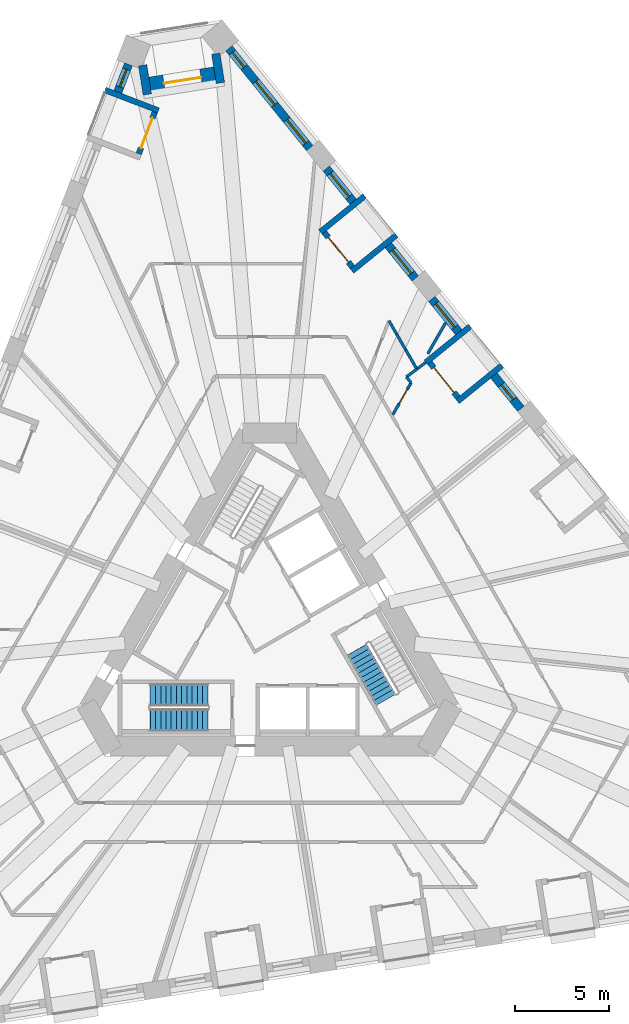
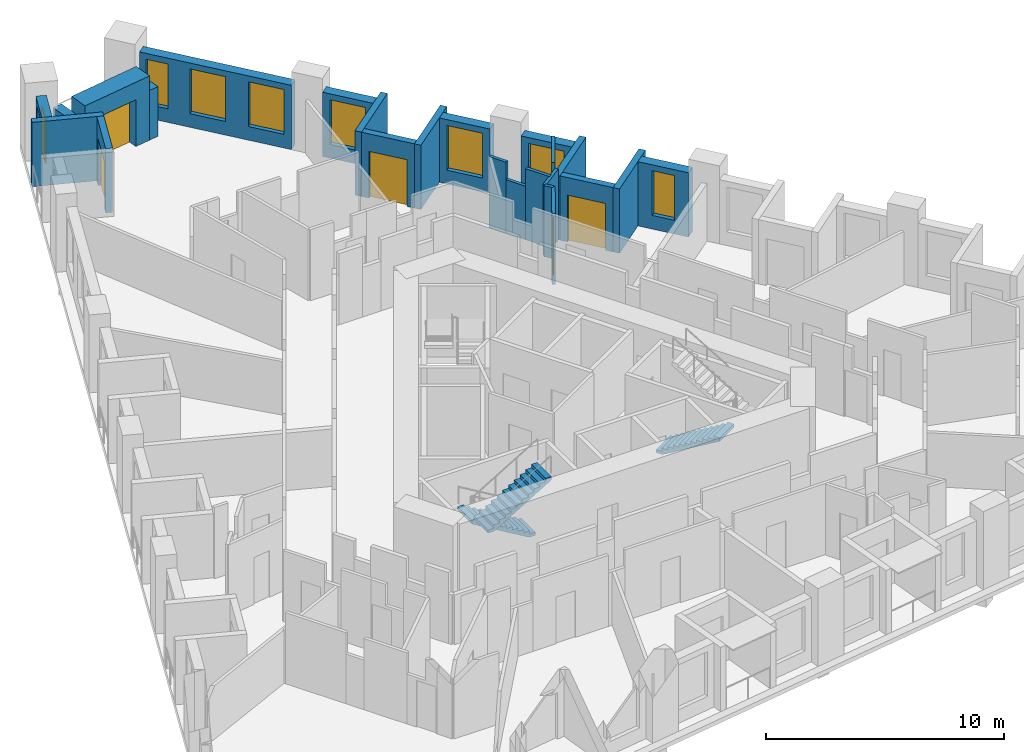
# One storey, part 9 of 14: 24 walls, 8 windows, 5 doors, 3 stair flights, 13 openings, 2 elements without a shape of their own.
"""IFC4 building model written with IfcOpenShell, lengths in metres."""

from ifc_helpers import new_model, si_unit, direction, frame, frame_2d, origin, place, context, subcontext, project, spatial, polyline, rectangle, outline, extrude, material, layer, layer_set, type_object, element, fill, aggregate, save


model = new_model("IFC4")

# Units and contexts
model_context = context("Model", 3, precision=1e-05, world=origin(), true_north=direction((0.0, 1.0)))
body_context = subcontext(model_context, "Body", "Model", "MODEL_VIEW")
ifc_project = project(units=[si_unit("LENGTHUNIT", "METRE"), si_unit("AREAUNIT", "SQUARE_METRE"), si_unit("VOLUMEUNIT", "CUBIC_METRE"), si_unit("PLANEANGLEUNIT", "RADIAN"), si_unit("MASSUNIT", "GRAM", prefix="KILO")], contexts=[model_context])

# Site, building, storey
site_placement = place(None, origin())
site = spatial("IfcSite", under=ifc_project, at=site_placement, CompositionType="ELEMENT")
building_placement = place(site_placement, origin())
building = spatial("IfcBuilding", under=site, at=building_placement, Name="Tramontana Tower", CompositionType="ELEMENT")
storey_placement = place(building_placement, frame((0.0, 0.0, 55.199951171875)))
storey = spatial("IfcBuildingStorey", under=building, at=storey_placement, Name="L11", CompositionType="ELEMENT", Elevation=55.199951171875)

# Wall, opening, window
ifc_material_1 = material(Name="Precast concrete 60 MPa", Category="concrete")
ifc_layer_1 = layer(ifc_material_1, 0.449951171875)
ifc_layer_set_1 = layer_set([ifc_layer_1], Name="Precast concrete 60 MPa, 450 mm")
wall_type_1 = type_object("IfcWallType", Name="EW1 Stone-faced precast wall 450", PredefinedType="SOLIDWALL", material=ifc_layer_set_1)
wall_1_placement = place(storey_placement, frame((-7.521728515625, 30.14453125, 0.0), z_axis=(0.0, 0.0, 1.0), x_axis=(-0.358431261356, -0.933556120907, 0.0)))
wall_1 = element("IfcWall", 1, at=wall_1_placement, inside=storey, type_object=wall_type_1, Name="External wall L11 face 0 bay 1", PredefinedType="SOLIDWALL", context=body_context, shape_type="SweptSolid", body=[
    extrude(rectangle(XDim=1.5830078125, YDim=0.449951171875, at=frame_2d((0.79150390625, 0.0))), origin(), (0.0, 0.0, 1.0), 3.300048828125),
])
opening_1_placement = place(wall_1_placement, frame((0.29150390625, 0.0, 0.699951171875)))
opening_1 = element("IfcOpeningElement", 2, at=opening_1_placement, cuts=wall_1, Name="Opening N1", PredefinedType="OPENING", context=body_context, shape_type="SweptSolid", body=[
    extrude(rectangle(XDim=1.0, YDim=2.300048828125, at=frame_2d((0.5, 1.14990234375))), frame((0.0, 0.23486328125, 0.0), z_axis=(0.0, -1.0, 0.0), x_axis=(1.0, 0.0, 0.0)), (0.0, 0.0, 1.0), 0.469970703125),
])
ifc_material_2 = material(Name="Aluminum frame, double glazing unit", Category="aluminium")
window_type_1 = type_object("IfcWindowType", Name="N1 Window 1 x 2.3", PartitioningType="SINGLE_PANEL", PredefinedType="WINDOW", material=ifc_material_2)
window_1_placement = place(opening_1_placement, origin())
window_1 = element("IfcWindow", 3, at=window_1_placement, inside=storey, type_object=window_type_1, Name="Window N1 L11 face 0 module 1", OverallHeight=2.300048828125, OverallWidth=1.0, PartitioningType="SINGLE_PANEL", PredefinedType="WINDOW", context=body_context, shape_type="SweptSolid", body=[
    extrude(rectangle(XDim=1.0, YDim=2.300048828125, at=frame_2d((0.5, 1.14990234375))), frame((0.0, 0.030029296875, 0.0), z_axis=(0.0, -1.0, 0.0), x_axis=(1.0, 0.0, 0.0)), (0.0, 0.0, 1.0), 0.06005859375),
])
fill(opening_1, window_1)

wall_2_placement = place(storey_placement, frame((13.412109375, 11.76171875, 0.0), z_axis=(0.0, 0.0, 1.0), x_axis=(-0.629339730135, 0.777130300576, 0.0)))
wall_2 = element("IfcWall", 4, at=wall_2_placement, inside=storey, type_object=wall_type_1, Name="External wall L11 face 2 bay 4", PredefinedType="SOLIDWALL", context=body_context, shape_type="SweptSolid", body=[
    extrude(rectangle(XDim=2.282958984375, YDim=0.449951171875, at=frame_2d((1.1416015625, 0.0))), origin(), (0.0, 0.0, 1.0), 3.300048828125),
])
opening_2_placement = place(wall_2_placement, frame((0.6416015625, 0.0, 0.699951171875)))
opening_2 = element("IfcOpeningElement", 5, at=opening_2_placement, cuts=wall_2, Name="Opening N1", PredefinedType="OPENING", context=body_context, shape_type="SweptSolid", body=[
    extrude(rectangle(XDim=1.0, YDim=2.300048828125, at=frame_2d((0.5, 1.14990234375))), frame((0.0, 0.23486328125, 0.0), z_axis=(0.0, -1.0, 0.0), x_axis=(1.0, 0.0, 0.0)), (0.0, 0.0, 1.0), 0.469970703125),
])
window_2_placement = place(opening_2_placement, origin())
window_2 = element("IfcWindow", 6, at=window_2_placement, inside=storey, type_object=window_type_1, Name="Window N1 L11 face 2 module 10", OverallHeight=2.300048828125, OverallWidth=1.0, PartitioningType="SINGLE_PANEL", PredefinedType="WINDOW", context=body_context, shape_type="SweptSolid", body=[
    extrude(rectangle(XDim=1.0, YDim=2.300048828125, at=frame_2d((0.5, 1.14990234375))), frame((0.0, 0.030029296875, 0.0), z_axis=(0.0, -1.0, 0.0), x_axis=(1.0, 0.0, 0.0)), (0.0, 0.0, 1.0), 0.06005859375),
])
fill(opening_2, window_2)

wall_3_placement = place(storey_placement, frame((10.09814453125, 15.85400390625, 0.0), z_axis=(0.0, 0.0, 1.0), x_axis=(-0.629339730135, 0.777130300576, 0.0)))
wall_3 = element("IfcWall", 7, at=wall_3_placement, inside=storey, type_object=wall_type_1, Name="External wall L11 face 2 bay 4", PredefinedType="SOLIDWALL", context=body_context, shape_type="SweptSolid", body=[
    extrude(rectangle(XDim=2.282958984375, YDim=0.449951171875, at=frame_2d((1.1416015625, 0.0))), origin(), (0.0, 0.0, 1.0), 3.300048828125),
])
opening_3_placement = place(wall_3_placement, frame((0.341552734375, 0.0, 0.699951171875)))
opening_3 = element("IfcOpeningElement", 8, at=opening_3_placement, cuts=wall_3, Name="Opening M1", PredefinedType="OPENING", context=body_context, shape_type="SweptSolid", body=[
    extrude(rectangle(XDim=1.60009765625, YDim=2.300048828125, at=frame_2d((0.800048828125, 1.14990234375))), frame((0.0, 0.23486328125, 0.0), z_axis=(0.0, -1.0, 0.0), x_axis=(1.0, 0.0, 0.0)), (0.0, 0.0, 1.0), 0.469970703125),
])
ifc_material_3 = material(Name="Aluminum frame, double glazing unit", Category="aluminium")
window_type_2 = type_object("IfcWindowType", Name="M1 Window 1.6 x 2.3", PartitioningType="SINGLE_PANEL", PredefinedType="WINDOW", material=ifc_material_3)
window_3_placement = place(opening_3_placement, origin())
window_3 = element("IfcWindow", 9, at=window_3_placement, inside=storey, type_object=window_type_2, Name="Window M1 L11 face 2 module 12", OverallHeight=2.300048828125, OverallWidth=1.60009765625, PartitioningType="SINGLE_PANEL", PredefinedType="WINDOW", context=body_context, shape_type="SweptSolid", body=[
    extrude(rectangle(XDim=1.60009765625, YDim=2.300048828125, at=frame_2d((0.800048828125, 1.14990234375))), frame((0.0, 0.030029296875, 0.0), z_axis=(0.0, -1.0, 0.0), x_axis=(1.0, 0.0, 0.0)), (0.0, 0.0, 1.0), 0.06005859375),
])
fill(opening_3, window_3)

wall_4_placement = place(storey_placement, frame((7.7802734375, 18.71630859375, 0.0), z_axis=(0.0, 0.0, 1.0), x_axis=(-0.629275139402, 0.777182603337, 0.0)))
wall_4 = element("IfcWall", 10, at=wall_4_placement, inside=storey, type_object=wall_type_1, Name="External wall L11 face 2 bay 5", PredefinedType="SOLIDWALL", context=body_context, shape_type="SweptSolid", body=[
    extrude(rectangle(XDim=2.28271484375, YDim=0.449951171875, at=frame_2d((1.141357421875, 0.0))), origin(), (0.0, 0.0, 1.0), 3.300048828125),
])
opening_4_placement = place(wall_4_placement, frame((0.341552734375, 0.0, 0.699951171875)))
opening_4 = element("IfcOpeningElement", 11, at=opening_4_placement, cuts=wall_4, Name="Opening M1", PredefinedType="OPENING", context=body_context, shape_type="SweptSolid", body=[
    extrude(rectangle(XDim=1.60009765625, YDim=2.300048828125, at=frame_2d((0.800048828125, 1.14990234375))), frame((0.0, 0.23486328125, 0.0), z_axis=(0.0, -1.0, 0.0), x_axis=(1.0, 0.0, 0.0)), (0.0, 0.0, 1.0), 0.469970703125),
])
window_4_placement = place(opening_4_placement, origin())
window_4 = element("IfcWindow", 12, at=window_4_placement, inside=storey, type_object=window_type_2, Name="Window M1 L11 face 2 module 13", OverallHeight=2.300048828125, OverallWidth=1.60009765625, PartitioningType="SINGLE_PANEL", PredefinedType="WINDOW", context=body_context, shape_type="SweptSolid", body=[
    extrude(rectangle(XDim=1.60009765625, YDim=2.300048828125, at=frame_2d((0.800048828125, 1.14990234375))), frame((0.0, 0.030029296875, 0.0), z_axis=(0.0, -1.0, 0.0), x_axis=(1.0, 0.0, 0.0)), (0.0, 0.0, 1.0), 0.06005859375),
])
fill(opening_4, window_4)

wall_5_placement = place(storey_placement, frame((4.46630859375, 22.80859375, 0.0), z_axis=(0.0, 0.0, 1.0), x_axis=(-0.629275139402, 0.777182603337, 0.0)))
wall_5 = element("IfcWall", 13, at=wall_5_placement, inside=storey, type_object=wall_type_1, Name="External wall L11 face 2 bay 5", PredefinedType="SOLIDWALL", context=body_context, shape_type="SweptSolid", body=[
    extrude(rectangle(XDim=2.28271484375, YDim=0.449951171875, at=frame_2d((1.141357421875, 0.0))), origin(), (0.0, 0.0, 1.0), 3.300048828125),
])
opening_5_placement = place(wall_5_placement, frame((0.341552734375, 0.0, 0.699951171875)))
opening_5 = element("IfcOpeningElement", 14, at=opening_5_placement, cuts=wall_5, Name="Opening M1", PredefinedType="OPENING", context=body_context, shape_type="SweptSolid", body=[
    extrude(rectangle(XDim=1.60009765625, YDim=2.300048828125, at=frame_2d((0.800048828125, 1.14990234375))), frame((0.0, 0.23486328125, 0.0), z_axis=(0.0, -1.0, 0.0), x_axis=(1.0, 0.0, 0.0)), (0.0, 0.0, 1.0), 0.469970703125),
])
window_5_placement = place(opening_5_placement, origin())
window_5 = element("IfcWindow", 15, at=window_5_placement, inside=storey, type_object=window_type_2, Name="Window M1 L11 face 2 module 15", OverallHeight=2.300048828125, OverallWidth=1.60009765625, PartitioningType="SINGLE_PANEL", PredefinedType="WINDOW", context=body_context, shape_type="SweptSolid", body=[
    extrude(rectangle(XDim=1.60009765625, YDim=2.300048828125, at=frame_2d((0.800048828125, 1.14990234375))), frame((0.0, 0.030029296875, 0.0), z_axis=(0.0, -1.0, 0.0), x_axis=(1.0, 0.0, 0.0)), (0.0, 0.0, 1.0), 0.06005859375),
])
fill(opening_5, window_5)

# Wall, openings, windows
wall_6_placement = place(storey_placement, frame((2.148681640625, 25.6708984375, 0.0), z_axis=(0.0, 0.0, 1.0), x_axis=(-0.629339730135, 0.777130300576, 0.0)))
wall_6 = element("IfcWall", 16, at=wall_6_placement, inside=storey, type_object=wall_type_1, Name="External wall L11 face 2 bay 6", PredefinedType="SOLIDWALL", context=body_context, shape_type="SweptSolid", body=[
    extrude(rectangle(XDim=6.848876953125, YDim=0.449951171875, at=frame_2d((3.42431640625, 0.0))), origin(), (0.0, 0.0, 1.0), 3.300048828125),
])
opening_6_placement = place(wall_6_placement, frame((0.341552734375, 0.0, 0.699951171875)))
opening_6 = element("IfcOpeningElement", 17, at=opening_6_placement, cuts=wall_6, Name="Opening M1", PredefinedType="OPENING", context=body_context, shape_type="SweptSolid", body=[
    extrude(rectangle(XDim=1.60009765625, YDim=2.300048828125, at=frame_2d((0.800048828125, 1.14990234375))), frame((0.0, 0.23486328125, 0.0), z_axis=(0.0, -1.0, 0.0), x_axis=(1.0, 0.0, 0.0)), (0.0, 0.0, 1.0), 0.469970703125),
])
opening_7_placement = place(wall_6_placement, frame((2.974365234375, 0.0, 0.699951171875)))
opening_7 = element("IfcOpeningElement", 18, at=opening_7_placement, cuts=wall_6, Name="Opening M1", PredefinedType="OPENING", context=body_context, shape_type="SweptSolid", body=[
    extrude(rectangle(XDim=1.60009765625, YDim=2.300048828125, at=frame_2d((0.800048828125, 1.14990234375))), frame((0.0, 0.23486328125, 0.0), z_axis=(0.0, -1.0, 0.0), x_axis=(1.0, 0.0, 0.0)), (0.0, 0.0, 1.0), 0.469970703125),
])
opening_8_placement = place(wall_6_placement, frame((5.557373046875, 0.0, 0.699951171875)))
opening_8 = element("IfcOpeningElement", 19, at=opening_8_placement, cuts=wall_6, Name="Opening N1", PredefinedType="OPENING", context=body_context, shape_type="SweptSolid", body=[
    extrude(rectangle(XDim=1.0, YDim=2.300048828125, at=frame_2d((0.5, 1.14990234375))), frame((0.0, 0.23486328125, 0.0), z_axis=(0.0, -1.0, 0.0), x_axis=(1.0, 0.0, 0.0)), (0.0, 0.0, 1.0), 0.469970703125),
])
window_6_placement = place(opening_6_placement, origin())
window_6 = element("IfcWindow", 20, at=window_6_placement, inside=storey, type_object=window_type_2, Name="Window M1 L11 face 2 module 16", OverallHeight=2.300048828125, OverallWidth=1.60009765625, PartitioningType="SINGLE_PANEL", PredefinedType="WINDOW", context=body_context, shape_type="SweptSolid", body=[
    extrude(rectangle(XDim=1.60009765625, YDim=2.300048828125, at=frame_2d((0.800048828125, 1.14990234375))), frame((0.0, 0.030029296875, 0.0), z_axis=(0.0, -1.0, 0.0), x_axis=(1.0, 0.0, 0.0)), (0.0, 0.0, 1.0), 0.06005859375),
])
fill(opening_6, window_6)
window_7_placement = place(opening_7_placement, origin())
window_7 = element("IfcWindow", 21, at=window_7_placement, inside=storey, type_object=window_type_2, Name="Window M1 L11 face 2 module 17", OverallHeight=2.300048828125, OverallWidth=1.60009765625, PartitioningType="SINGLE_PANEL", PredefinedType="WINDOW", context=body_context, shape_type="SweptSolid", body=[
    extrude(rectangle(XDim=1.60009765625, YDim=2.300048828125, at=frame_2d((0.800048828125, 1.14990234375))), frame((0.0, 0.030029296875, 0.0), z_axis=(0.0, -1.0, 0.0), x_axis=(1.0, 0.0, 0.0)), (0.0, 0.0, 1.0), 0.06005859375),
])
fill(opening_7, window_7)
window_8_placement = place(opening_8_placement, origin())
window_8 = element("IfcWindow", 22, at=window_8_placement, inside=storey, type_object=window_type_1, Name="Window N1 L11 face 2 module 18", OverallHeight=2.300048828125, OverallWidth=1.0, PartitioningType="SINGLE_PANEL", PredefinedType="WINDOW", context=body_context, shape_type="SweptSolid", body=[
    extrude(rectangle(XDim=1.0, YDim=2.300048828125, at=frame_2d((0.5, 1.14990234375))), frame((0.0, 0.030029296875, 0.0), z_axis=(0.0, -1.0, 0.0), x_axis=(1.0, 0.0, 0.0)), (0.0, 0.0, 1.0), 0.06005859375),
])
fill(opening_8, window_8)

# Walls
for number, where, z_axis, x_axis, name in (
    (23, (-6.765625, 30.09130859375, 0.0), (0.0, 0.0, 1.0), (0.156446802793, -0.987686386408, 0.0), "Corner loggia side wall L11 K10l"),
    (24, (-2.8642578125, 30.709228515625, 0.0), (0.0, 0.0, 1.0), (0.156446802793, -0.987686386408, 0.0), "Corner loggia side wall L11 K10r"),
):
    element("IfcWall", number, at=place(storey_placement, frame(where, z_axis=z_axis, x_axis=x_axis)), inside=storey, type_object=wall_type_1, Name=name, PredefinedType="SOLIDWALL", context=body_context, shape_type="SweptSolid", body=[
        extrude(rectangle(XDim=1.579345703125, YDim=0.449951171875, at=frame_2d((0.78955078125, 0.0))), origin(), (0.0, 0.0, 1.0), 2.550048828125),
    ])

# Wall, opening, door
ifc_material_4 = material(Name="Precast concrete 60 MPa", Category="concrete")
ifc_layer_2 = layer(ifc_material_4, 0.89990234375)
ifc_layer_set_2 = layer_set([ifc_layer_2], Name="EW2 Stone-faced corner loggia wall 900")
wall_type_2 = type_object("IfcWallType", Name="EW2 Stone-faced corner loggia wall 900", PredefinedType="SOLIDWALL", material=ifc_layer_set_2)
wall_7_placement = place(storey_placement, frame((-6.36669921875, 29.01123046875, 0.0), z_axis=(0.0, 0.0, 1.0), x_axis=(0.987683654859, 0.156464046744, 0.0)))
wall_7 = element("IfcWall", 25, at=wall_7_placement, inside=storey, type_object=wall_type_2, Name="Corner loggia wall L11 K10", PredefinedType="SOLIDWALL", context=body_context, shape_type="SweptSolid", body=[
    extrude(rectangle(XDim=3.5, YDim=0.89990234375, at=frame_2d((1.75, 0.0))), origin(), (0.0, 0.0, 1.0), 3.300048828125),
])
opening_9_placement = place(wall_7_placement, frame((0.75, 0.0, 0.0)))
opening_9 = element("IfcOpeningElement", 26, at=opening_9_placement, cuts=wall_7, Name="Opening BD-10C", PredefinedType="OPENING", context=body_context, shape_type="SweptSolid", body=[
    extrude(rectangle(XDim=2.0, YDim=2.39990234375, at=frame_2d((1.0, 1.199951171875))), frame((0.0, 0.4599609375, 0.0), z_axis=(0.0, -1.0, 0.0), x_axis=(1.0, 0.0, 0.0)), (0.0, 0.0, 1.0), 0.919921875),
])
ifc_material_5 = material(Name="Aluminum frame, double glazing unit", Category="aluminium")
door_type_1 = type_object("IfcDoorType", Name="BC1 Sliding door 2 x 2.4", OperationType="SLIDING_TO_LEFT", PredefinedType="DOOR", material=ifc_material_5)
door_1_placement = place(opening_9_placement, origin())
door_1 = element("IfcDoor", 27, at=door_1_placement, inside=storey, type_object=door_type_1, Name="Corner loggia door L11 K10", OperationType="SLIDING_TO_LEFT", OverallHeight=2.39990234375, OverallWidth=2.0, PredefinedType="DOOR", context=body_context, shape_type="SweptSolid", body=[
    extrude(rectangle(XDim=2.0, YDim=2.39990234375, at=frame_2d((1.0, 1.199951171875))), frame((0.0, 0.02490234375, 0.0), z_axis=(0.0, -1.0, 0.0), x_axis=(1.0, 0.0, 0.0)), (0.0, 0.0, 1.0), 0.050048828125),
])
fill(opening_9, door_1)

ifc_material_6 = material(Name="Precast concrete 60 MPa", Category="concrete")
ifc_layer_3 = layer(ifc_material_6, 0.300048828125)
ifc_layer_set_3 = layer_set([ifc_layer_3], Name="LW1 Stone-faced loggia wall 300")
wall_type_3 = type_object("IfcWallType", Name="LW1 Stone-faced loggia wall 300", PredefinedType="SOLIDWALL", material=ifc_layer_set_3)
wall_8_placement = place(storey_placement, frame((-6.119384765625, 27.58935546875, 0.0), z_axis=(0.0, 0.0, 1.0), x_axis=(-0.358354292693, -0.933585668757, 0.0)))
wall_8 = element("IfcWall", 28, at=wall_8_placement, inside=storey, type_object=wall_type_3, Name="Loggia wall L11 G1S0.1", PredefinedType="SOLIDWALL", context=body_context, shape_type="SweptSolid", body=[
    extrude(rectangle(XDim=2.383056640625, YDim=0.300048828125, at=frame_2d((1.19140625, 0.0))), origin(), (0.0, 0.0, 1.0), 3.300048828125),
])
opening_10_placement = place(wall_8_placement, frame((0.341552734375, 0.0, 0.0)))
opening_10 = element("IfcOpeningElement", 29, at=opening_10_placement, cuts=wall_8, Name="Opening BD-1S0-01", PredefinedType="OPENING", context=body_context, shape_type="SweptSolid", body=[
    extrude(rectangle(XDim=1.699951171875, YDim=2.39990234375, at=frame_2d((0.85009765625, 1.199951171875))), frame((0.0, 0.159912109375, 0.0), z_axis=(0.0, -1.0, 0.0), x_axis=(1.0, 0.0, 0.0)), (0.0, 0.0, 1.0), 0.320068359375),
])
ifc_material_7 = material(Name="Aluminum frame, double glazing unit", Category="aluminium")
door_type_2 = type_object("IfcDoorType", Name="BD1 Sliding door 1.7 x 2.4", OperationType="SLIDING_TO_LEFT", PredefinedType="DOOR", material=ifc_material_7)
door_2_placement = place(opening_10_placement, origin())
door_2 = element("IfcDoor", 30, at=door_2_placement, inside=storey, type_object=door_type_2, Name="Loggia door L11 G1S0.1", OperationType="SLIDING_TO_LEFT", OverallHeight=2.39990234375, OverallWidth=1.699951171875, PredefinedType="DOOR", context=body_context, shape_type="SweptSolid", body=[
    extrude(rectangle(XDim=1.699951171875, YDim=2.39990234375, at=frame_2d((0.85009765625, 1.199951171875))), frame((0.0, 0.02490234375, 0.0), z_axis=(0.0, -1.0, 0.0), x_axis=(1.0, 0.0, 0.0)), (0.0, 0.0, 1.0), 0.050048828125),
])
fill(opening_10, door_2)

# Wall
wall_9_placement = place(storey_placement, frame((-8.77294921875, 28.7685546875, 0.0), z_axis=(0.0, 0.0, 1.0), x_axis=(0.933580593625, -0.358367514161, 0.0)))
element("IfcWall", 31, at=wall_9_placement, inside=storey, type_object=wall_type_3, Name="Loggia return L11 G1S0.1a", PredefinedType="SOLIDWALL", context=body_context, shape_type="SweptSolid", body=[
    extrude(rectangle(XDim=3.050048828125, YDim=0.300048828125, at=frame_2d((1.52490234375, 0.0))), origin(), (0.0, 0.0, 1.0), 3.300048828125),
])

# Wall, opening, door
wall_10_placement = place(storey_placement, frame((10.057373046875, 12.36865234375, 0.0), z_axis=(0.0, 0.0, 1.0), x_axis=(-0.629257171563, 0.777197151331, 0.0)))
wall_10 = element("IfcWall", 32, at=wall_10_placement, inside=storey, type_object=wall_type_3, Name="Loggia wall L11 G1S2.10", PredefinedType="SOLIDWALL", context=body_context, shape_type="SweptSolid", body=[
    extrude(rectangle(XDim=2.383056640625, YDim=0.300048828125, at=frame_2d((1.19140625, 0.0))), origin(), (0.0, 0.0, 1.0), 3.300048828125),
])
opening_11_placement = place(wall_10_placement, frame((0.341552734375, 0.0, 0.0)))
opening_11 = element("IfcOpeningElement", 33, at=opening_11_placement, cuts=wall_10, Name="Opening BD-1S2-10", PredefinedType="OPENING", context=body_context, shape_type="SweptSolid", body=[
    extrude(rectangle(XDim=1.699951171875, YDim=2.39990234375, at=frame_2d((0.85009765625, 1.199951171875))), frame((0.0, 0.159912109375, 0.0), z_axis=(0.0, -1.0, 0.0), x_axis=(1.0, 0.0, 0.0)), (0.0, 0.0, 1.0), 0.320068359375),
])
door_3_placement = place(opening_11_placement, origin())
door_3 = element("IfcDoor", 34, at=door_3_placement, inside=storey, type_object=door_type_2, Name="Loggia door L11 G1S2.10", OperationType="SLIDING_TO_LEFT", OverallHeight=2.39990234375, OverallWidth=1.699951171875, PredefinedType="DOOR", context=body_context, shape_type="SweptSolid", body=[
    extrude(rectangle(XDim=1.699951171875, YDim=2.39990234375, at=frame_2d((0.85009765625, 1.199951171875))), frame((0.0, 0.02490234375, 0.0), z_axis=(0.0, -1.0, 0.0), x_axis=(1.0, 0.0, 0.0)), (0.0, 0.0, 1.0), 0.050048828125),
])
fill(opening_11, door_3)

# Walls
wall_11_placement = place(storey_placement, frame((12.405517578125, 14.0771484375, 0.0), z_axis=(0.0, 0.0, 1.0), x_axis=(-0.777153523895, -0.629311052102, 0.0)))
element("IfcWall", 35, at=wall_11_placement, inside=storey, type_object=wall_type_3, Name="Loggia return L11 G1S2.10a", PredefinedType="SOLIDWALL", context=body_context, shape_type="SweptSolid", body=[
    extrude(rectangle(XDim=3.050048828125, YDim=0.300048828125, at=frame_2d((1.52490234375, 0.0))), origin(), (0.0, 0.0, 1.0), 3.300048828125),
])
wall_12_placement = place(storey_placement, frame((10.717041015625, 16.162353515625, 0.0), z_axis=(0.0, 0.0, 1.0), x_axis=(-0.777121820661, -0.629350201281, 0.0)))
element("IfcWall", 36, at=wall_12_placement, inside=storey, type_object=wall_type_3, Name="Loggia return L11 G1S2.10b", PredefinedType="SOLIDWALL", context=body_context, shape_type="SweptSolid", body=[
    extrude(rectangle(XDim=3.0498046875, YDim=0.300048828125, at=frame_2d((1.52490234375, 0.0))), origin(), (0.0, 0.0, 1.0), 3.300048828125),
])

# Wall, opening, door
wall_13_placement = place(storey_placement, frame((4.42578125, 19.323486328125, 0.0), z_axis=(0.0, 0.0, 1.0), x_axis=(-0.629369155682, 0.777106470103, 0.0)))
wall_13 = element("IfcWall", 37, at=wall_13_placement, inside=storey, type_object=wall_type_3, Name="Loggia wall L11 G1S2.13", PredefinedType="SOLIDWALL", context=body_context, shape_type="SweptSolid", body=[
    extrude(rectangle(XDim=2.383056640625, YDim=0.300048828125, at=frame_2d((1.19140625, 0.0))), origin(), (0.0, 0.0, 1.0), 3.300048828125),
])
opening_12_placement = place(wall_13_placement, frame((0.341552734375, 0.0, 0.0)))
opening_12 = element("IfcOpeningElement", 38, at=opening_12_placement, cuts=wall_13, Name="Opening BD-1S2-13", PredefinedType="OPENING", context=body_context, shape_type="SweptSolid", body=[
    extrude(rectangle(XDim=1.699951171875, YDim=2.39990234375, at=frame_2d((0.85009765625, 1.199951171875))), frame((0.0, 0.159912109375, 0.0), z_axis=(0.0, -1.0, 0.0), x_axis=(1.0, 0.0, 0.0)), (0.0, 0.0, 1.0), 0.320068359375),
])
door_4_placement = place(opening_12_placement, origin())
door_4 = element("IfcDoor", 39, at=door_4_placement, inside=storey, type_object=door_type_2, Name="Loggia door L11 G1S2.13", OperationType="SLIDING_TO_LEFT", OverallHeight=2.39990234375, OverallWidth=1.699951171875, PredefinedType="DOOR", context=body_context, shape_type="SweptSolid", body=[
    extrude(rectangle(XDim=1.699951171875, YDim=2.39990234375, at=frame_2d((0.85009765625, 1.199951171875))), frame((0.0, 0.02490234375, 0.0), z_axis=(0.0, -1.0, 0.0), x_axis=(1.0, 0.0, 0.0)), (0.0, 0.0, 1.0), 0.050048828125),
])
fill(opening_12, door_4)

# Walls
for number, where, z_axis, x_axis, name in (
    (40, (6.77392578125, 21.03173828125, 0.0), (0.0, 0.0, 1.0), (-0.777153523895, -0.629311052102, 0.0), "Loggia return L11 G1S2.13a"),
    (41, (5.08544921875, 23.116943359375, 0.0), (0.0, 0.0, 1.0), (-0.777153523895, -0.629311052102, 0.0), "Loggia return L11 G1S2.13b"),
):
    element("IfcWall", number, at=place(storey_placement, frame(where, z_axis=z_axis, x_axis=x_axis)), inside=storey, type_object=wall_type_3, Name=name, PredefinedType="SOLIDWALL", context=body_context, shape_type="SweptSolid", body=[
        extrude(rectangle(XDim=3.050048828125, YDim=0.300048828125, at=frame_2d((1.52490234375, 0.0))), origin(), (0.0, 0.0, 1.0), 3.300048828125),
    ])
ifc_material_8 = material(Name="Gypsum board partition")
ifc_layer_4 = layer(ifc_material_8, 0.14990234375)
ifc_layer_set_4 = layer_set([ifc_layer_4], Name="PARTITION 150")
wall_type_4 = type_object("IfcWallType", Name="PARTITION 150", PredefinedType="PARTITIONING", material=ifc_layer_set_4)
wall_14_placement = place(storey_placement, frame((6.37646484375, 16.455322265625, 0.0), z_axis=(0.0, 0.0, 1.0), x_axis=(0.500080620599, -0.865978852456, 0.0)))
element("IfcWall", 42, at=wall_14_placement, inside=storey, type_object=wall_type_4, Name="Wall v10-pw25-0", PredefinedType="PARTITIONING", context=body_context, shape_type="SweptSolid", body=[
    extrude(rectangle(XDim=0.825927734375, YDim=0.14990234375, at=frame_2d((0.4130859375, 0.0))), origin(), (0.0, 0.0, 1.0), 3.650146484375),
])
wall_15_placement = place(storey_placement, frame((6.78955078125, 15.739990234375, 0.0), z_axis=(0.0, 0.0, 1.0), x_axis=(0.500144919923, -0.865941718059, 0.0)))
element("IfcWall", 43, at=wall_15_placement, inside=storey, type_object=wall_type_4, Name="Wall v10-pw25-1", PredefinedType="PARTITIONING", context=body_context, shape_type="SweptSolid", body=[
    extrude(rectangle(XDim=0.950439453125, YDim=0.14990234375, at=frame_2d((0.47509765625, 0.0))), origin(), (0.0, 0.0, 1.0), 2.75),
])
wall_16_placement = place(storey_placement, frame((7.264892578125, 14.9169921875, 0.0), z_axis=(0.0, 0.0, 1.0), x_axis=(0.49995746443, -0.866049960314, 0.0)))
element("IfcWall", 44, at=wall_16_placement, inside=storey, type_object=wall_type_4, Name="Wall v10-pw25-2", PredefinedType="PARTITIONING", context=body_context, shape_type="SweptSolid", body=[
    extrude(rectangle(XDim=1.1689453125, YDim=0.14990234375, at=frame_2d((0.58447265625, 0.0))), origin(), (0.0, 0.0, 1.0), 3.650146484375),
])
wall_17_placement = place(storey_placement, frame((7.30615234375, 13.4619140625, 0.0), z_axis=(0.0, 0.0, 1.0), x_axis=(0.629373821477, -0.777102691309, 0.0)))
element("IfcWall", 45, at=wall_17_placement, inside=storey, type_object=wall_type_4, Name="Wall v10-pw26", PredefinedType="PARTITIONING", context=body_context, shape_type="SweptSolid", body=[
    extrude(rectangle(XDim=0.39990234375, YDim=0.14990234375, at=frame_2d((0.199951171875, 0.0))), origin(), (0.0, 0.0, 1.0), 3.650146484375),
])

# Wall, opening, door
wall_18_placement = place(storey_placement, frame((6.5810546875, 11.451416015625, 0.0), z_axis=(0.0, 0.0, 1.0), x_axis=(0.498323693161, 0.866991059259, 0.0)))
wall_18 = element("IfcWall", 46, at=wall_18_placement, inside=storey, type_object=wall_type_4, Name="Wall v10-pw27", PredefinedType="PARTITIONING", context=body_context, shape_type="SweptSolid", body=[
    extrude(rectangle(XDim=1.960205078125, YDim=0.14990234375, at=frame_2d((0.97998046875, 0.0))), origin(), (0.0, 0.0, 1.0), 3.650146484375),
])
opening_13_placement = place(wall_18_placement, frame((0.6904296875, 0.0, 0.0)))
opening_13 = element("IfcOpeningElement", 47, at=opening_13_placement, cuts=wall_18, Name="Opening B1A-09", PredefinedType="OPENING", context=body_context, shape_type="SweptSolid", body=[
    extrude(rectangle(XDim=0.85009765625, YDim=2.39990234375, at=frame_2d((0.425048828125, 1.199951171875))), frame((0.0, 0.0849609375, 0.0), z_axis=(0.0, -1.0, 0.0), x_axis=(1.0, 0.0, 0.0)), (0.0, 0.0, 1.0), 0.169921875),
])
ifc_material_9 = material(Name="Painted timber", Category="wood")
door_type_3 = type_object("IfcDoorType", Name="DOOR BATH 850", OperationType="SINGLE_SWING_LEFT", PredefinedType="DOOR", material=ifc_material_9)
door_5_placement = place(opening_13_placement, origin())
door_5 = element("IfcDoor", 48, at=door_5_placement, inside=storey, type_object=door_type_3, Name="Door B1A-09", OperationType="SINGLE_SWING_LEFT", OverallHeight=2.39990234375, OverallWidth=0.85009765625, PredefinedType="DOOR", context=body_context, shape_type="SweptSolid", body=[
    extrude(rectangle(XDim=0.85009765625, YDim=2.39990234375, at=frame_2d((0.425048828125, 1.199951171875))), frame((0.0, 0.02490234375, 0.0), z_axis=(0.0, -1.0, 0.0), x_axis=(1.0, 0.0, 0.0)), (0.0, 0.0, 1.0), 0.050048828125),
])
fill(opening_13, door_5)

# Walls
wall_19_placement = place(storey_placement, frame((8.346923828125, 14.242919921875, 0.0), z_axis=(0.0, 0.0, 1.0), x_axis=(-0.800856036298, -0.598856918742, 0.0)))
element("IfcWall", 49, at=wall_19_placement, inside=storey, type_object=wall_type_4, Name="Wall v10-pw31", PredefinedType="PARTITIONING", context=body_context, shape_type="SweptSolid", body=[
    extrude(rectangle(XDim=1.29931640625, YDim=0.14990234375, at=frame_2d((0.649658203125, 0.0))), origin(), (0.0, 0.0, 1.0), 3.650146484375),
])
wall_20_placement = place(storey_placement, frame((9.40087890625, 16.357666015625, 0.0), z_axis=(0.0, 0.0, 1.0), x_axis=(-0.498291581793, -0.867009515239, 0.0)))
element("IfcWall", 50, at=wall_20_placement, inside=storey, type_object=wall_type_4, Name="Wall v10-pw33", PredefinedType="PARTITIONING", context=body_context, shape_type="SweptSolid", body=[
    extrude(rectangle(XDim=1.916259765625, YDim=0.14990234375, at=frame_2d((0.9580078125, 0.0))), origin(), (0.0, 0.0, 1.0), 3.650146484375),
])

# Stair, stair flights
ifc_material_10 = material(Name="Concrete 40 MPa", Category="concrete")
stair_type = type_object("IfcStairType", Name="EXIT STAIR 24 RISERS", PredefinedType="HALF_TURN_STAIR", material=ifc_material_10)
stair_1_placement = place(storey_placement, origin())
stair_1 = element("IfcStair", 51, at=stair_1_placement, inside=storey, type_object=stair_type, Name="L11 Exit stair ST2", PredefinedType="HALF_TURN_STAIR")
ifc_material_11 = material(Name="Concrete 40 MPa", Category="concrete")
ifc_layer_5 = layer(ifc_material_11, 0.14990234375)
ifc_layer_set_5 = layer_set([ifc_layer_5], Name="EXIT STAIR FLIGHT")
stair_flight_type = type_object("IfcStairFlightType", Name="EXIT STAIR FLIGHT", PredefinedType="STRAIGHT", material=ifc_layer_set_5)
stair_flight_1_placement = place(storey_placement, frame((-3.280029296875, -3.5, 0.0), z_axis=(0.0, 0.0, 1.0), x_axis=(-1.0, 0.0, 0.0)))
stair_flight_1 = element("IfcStairFlight", 52, at=stair_flight_1_placement, type_object=stair_flight_type, Name="ST2 flight 1", NumberOfRisers=12, NumberOfTreads=11, PredefinedType="STRAIGHT", RiserHeight=0.166666667, TreadLength=0.28, context=body_context, shape_type="SweptSolid", body=[
    extrude(outline(polyline([(-0.006103515625, 0.0), (-0.006103515625, 0.0400390625), (0.0, 0.0400390625), (0.0, 0.166748046875), (0.280029296875, 0.166748046875), (0.280029296875, 0.333251953125), (0.56005859375, 0.333251953125), (0.56005859375, 0.5), (0.840087890625, 0.5), (0.840087890625, 0.666748046875), (1.1201171875, 0.666748046875), (1.1201171875, 0.833251953125), (1.39990234375, 0.833251953125), (1.39990234375, 1.0), (1.679931640625, 1.0), (1.679931640625, 1.166748046875), (1.9599609375, 1.166748046875), (1.9599609375, 1.333251953125), (2.239990234375, 1.333251953125), (2.239990234375, 1.5), (2.52001953125, 1.5), (2.52001953125, 1.666748046875), (2.800048828125, 1.666748046875), (2.800048828125, 1.833251953125), (3.080078125, 1.833251953125), (3.0859375, 1.833251953125), (3.0859375, 1.658935546875), (0.299072265625, 0.0), (-0.006103515625, 0.0)])), frame((0.0, 0.60009765625, 0.0), z_axis=(0.0, -1.0, 0.0), x_axis=(1.0, 0.0, 0.0)), (0.0, 0.0, 1.0), 1.199951171875),
])
stair_flight_2_placement = place(storey_placement, frame((-6.360107421875, -4.85009765625, 2.0), z_axis=(0.0, 0.0, 1.0), x_axis=(1.0, 0.0, 0.0)))
stair_flight_2 = element("IfcStairFlight", 53, at=stair_flight_2_placement, type_object=stair_flight_type, Name="ST2 flight 2", NumberOfRisers=12, NumberOfTreads=11, PredefinedType="STRAIGHT", RiserHeight=0.166666667, TreadLength=0.28, context=body_context, shape_type="SweptSolid", body=[
    extrude(outline(polyline([(-0.006103515625, 0.0), (-0.006103515625, 0.0400390625), (0.0, 0.0400390625), (0.0, 0.166748046875), (0.280029296875, 0.166748046875), (0.280029296875, 0.333251953125), (0.56005859375, 0.333251953125), (0.56005859375, 0.5), (0.840087890625, 0.5), (0.840087890625, 0.666748046875), (1.1201171875, 0.666748046875), (1.1201171875, 0.833251953125), (1.39990234375, 0.833251953125), (1.39990234375, 1.0), (1.679931640625, 1.0), (1.679931640625, 1.166748046875), (1.9599609375, 1.166748046875), (1.9599609375, 1.333251953125), (2.239990234375, 1.333251953125), (2.239990234375, 1.5), (2.52001953125, 1.5), (2.52001953125, 1.666748046875), (2.800048828125, 1.666748046875), (2.800048828125, 1.833251953125), (3.080078125, 1.833251953125), (3.0859375, 1.833251953125), (3.0859375, 1.658935546875), (0.299072265625, 0.0), (-0.006103515625, 0.0)])), frame((0.0, 0.60009765625, 0.0), z_axis=(0.0, -1.0, 0.0), x_axis=(1.0, 0.0, 0.0)), (0.0, 0.0, 1.0), 1.199951171875),
])
aggregate(stair_1, [stair_flight_1, stair_flight_2])

# Stair, stair flight
stair_2_placement = place(storey_placement, origin())
stair_2 = element("IfcStair", 54, at=stair_2_placement, inside=storey, type_object=stair_type, Name="L11 Exit stair ST3", PredefinedType="HALF_TURN_STAIR")
stair_flight_3_placement = place(storey_placement, frame((4.671142578125, -1.090576171875, 0.0), z_axis=(0.0, 0.0, 1.0), x_axis=(0.5, -0.866025403784, 0.0)))
stair_flight_3 = element("IfcStairFlight", 55, at=stair_flight_3_placement, type_object=stair_flight_type, Name="ST3 flight 1", NumberOfRisers=12, NumberOfTreads=11, PredefinedType="STRAIGHT", RiserHeight=0.166666667, TreadLength=0.28, context=body_context, shape_type="SweptSolid", body=[
    extrude(outline(polyline([(-0.006103515625, 0.0), (-0.006103515625, 0.0400390625), (0.0, 0.0400390625), (0.0, 0.166748046875), (0.280029296875, 0.166748046875), (0.280029296875, 0.333251953125), (0.56005859375, 0.333251953125), (0.56005859375, 0.5), (0.840087890625, 0.5), (0.840087890625, 0.666748046875), (1.1201171875, 0.666748046875), (1.1201171875, 0.833251953125), (1.39990234375, 0.833251953125), (1.39990234375, 1.0), (1.679931640625, 1.0), (1.679931640625, 1.166748046875), (1.9599609375, 1.166748046875), (1.9599609375, 1.333251953125), (2.239990234375, 1.333251953125), (2.239990234375, 1.5), (2.52001953125, 1.5), (2.52001953125, 1.666748046875), (2.800048828125, 1.666748046875), (2.800048828125, 1.833251953125), (3.080078125, 1.833251953125), (3.0859375, 1.833251953125), (3.0859375, 1.658935546875), (0.299072265625, 0.0), (-0.006103515625, 0.0)])), frame((0.0, 0.60009765625, 0.0), z_axis=(0.0, -1.0, 0.0), x_axis=(1.0, 0.0, 0.0)), (0.0, 0.0, 1.0), 1.199951171875),
])
aggregate(stair_2, [stair_flight_3])

save(model, "model.ifc")
